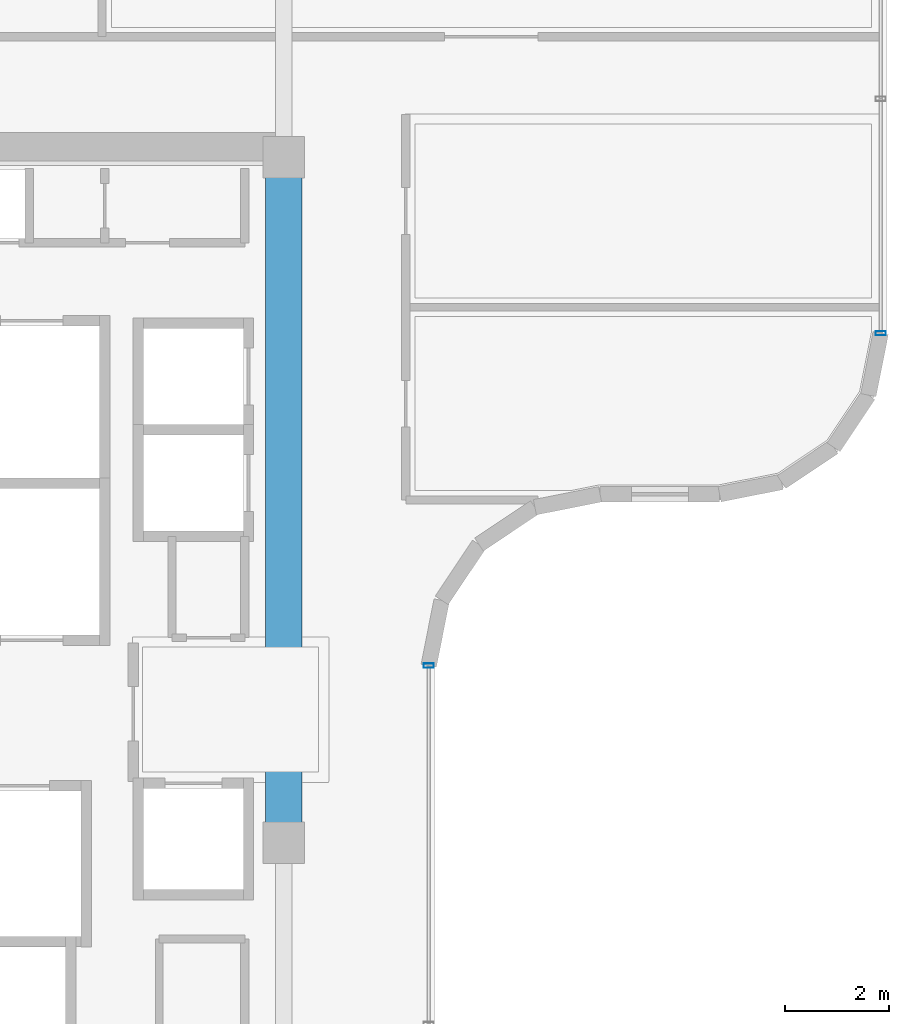
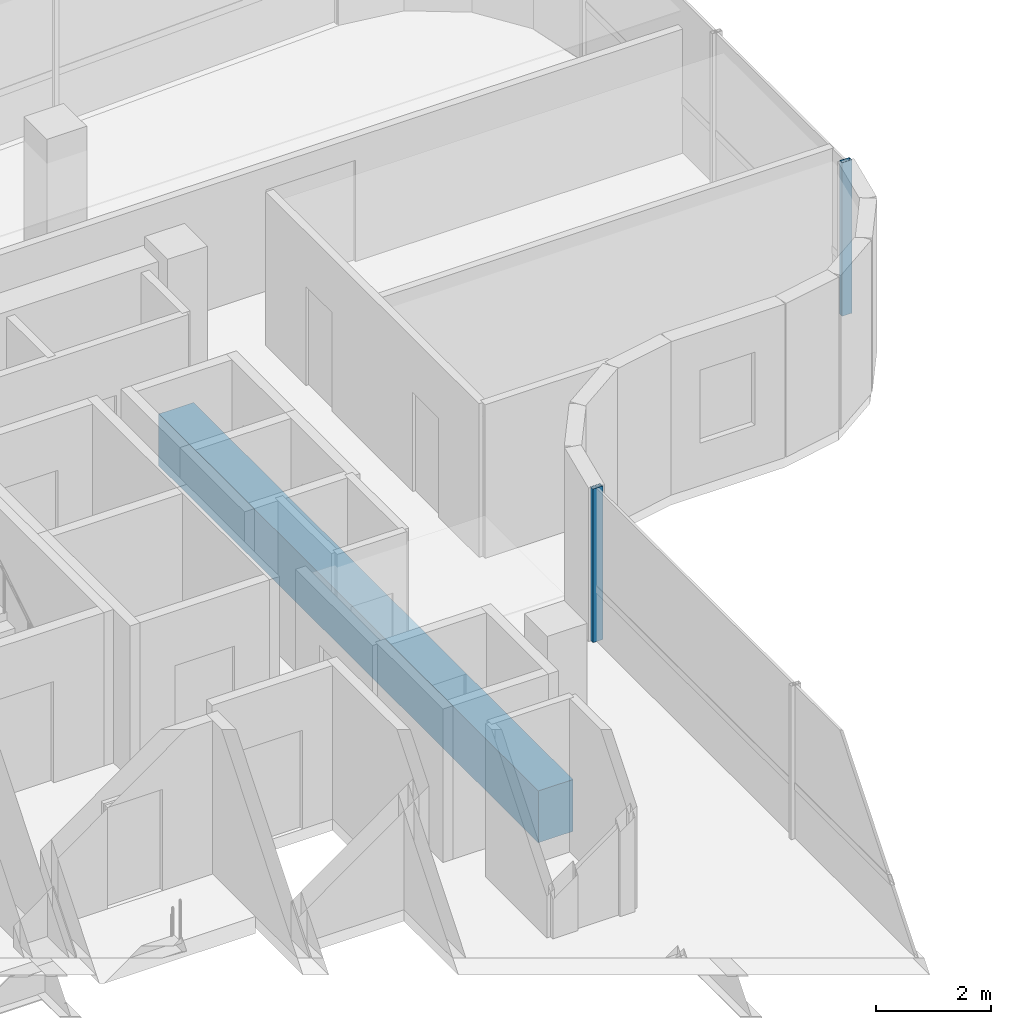
# One storey, part 10 of 20: 2 members, 1 beam, 2 elements without a shape of their own.
"""IFC4 building model written with IfcOpenShell, lengths in metres."""

from ifc_helpers import new_model, si_unit, direction, frame, origin, origin_2d, place, context, subcontext, project, spatial, rectangle, hollow_rectangle, extrude, source, transform, mapped, material, material_profile, profile_set, type_object, element, aggregate, save


model = new_model("IFC4")

# Units and contexts
model_context = context("Model", 3, precision=1e-05, world=origin(), true_north=direction((0.0, 1.0)))
body_context = subcontext(model_context, "Body", "Model", "MODEL_VIEW")
ifc_project = project(units=[si_unit("LENGTHUNIT", "METRE"), si_unit("AREAUNIT", "SQUARE_METRE"), si_unit("VOLUMEUNIT", "CUBIC_METRE"), si_unit("PLANEANGLEUNIT", "RADIAN"), si_unit("MASSUNIT", "GRAM", prefix="KILO")], contexts=[model_context])

# Site, building, storey
site_placement = place(None, origin())
site = spatial("IfcSite", under=ifc_project, at=site_placement, CompositionType="ELEMENT")
building_placement = place(site_placement, origin())
building = spatial("IfcBuilding", under=site, at=building_placement, Name="Valdorenza Pilgrim Sanctuary Tower", CompositionType="ELEMENT")
storey_placement = place(building_placement, frame((0.0, 0.0, 283.5)))
storey = spatial("IfcBuildingStorey", under=building, at=storey_placement, Name="L74", CompositionType="ELEMENT", Elevation=283.5)

# Beam
ifc_material_1 = material(Name="Concrete C50/60", Category="concrete")
ifc_material_profile_1 = material_profile(ifc_material_1, rectangle(XDim=0.699951171875, YDim=1.10009765625, at=origin_2d()), Name="RC 1100x700")
ifc_profile_set_1 = profile_set([ifc_material_profile_1], Name="Concrete C50/60")
beam_type = type_object("IfcBeamType", Name="STR-BM-LNT-1100", PredefinedType="LINTEL", material=ifc_profile_set_1)
shared_shape_1 = source(origin(), body_context, "Body", "SweptSolid", [
    extrude(rectangle(XDim=0.699951171875, YDim=1.10009765625, at=origin_2d()), origin(), (0.0, 0.0, 1.0), 13.2001953125),
])
beam_placement = place(storey_placement, frame((-12.39990234375, -2.60009765625, -0.590087890625), z_axis=(0.0, 1.0, 0.0), x_axis=(-1.0, 0.0, 0.0)))
element("IfcBeam", 1, at=beam_placement, inside=storey, type_object=beam_type, Name="L74 Core A Coupling Lintel Girder", PredefinedType="LINTEL", context=body_context, shape_type="MappedRepresentation", body=[
    mapped(shared_shape_1, transform((0.0, 0.0, 0.0), x_axis=(1.0, 0.0, 0.0), y_axis=(0.0, 1.0, 0.0), z_axis=(0.0, 0.0, 1.0), scale=1.0)),
])

# Curtain wall, member
ifc_material_2 = material(Name="Curtain-wall IGU glazing", Category="glass")
curtain_wall_type = type_object("IfcCurtainWallType", Name="CW-SYS-02", PredefinedType="NOTDEFINED", material=ifc_material_2)
curtain_wall_1_placement = place(storey_placement, origin())
curtain_wall_1 = element("IfcCurtainWall", 2, at=curtain_wall_1_placement, inside=storey, type_object=curtain_wall_type, Name="L74 Curtain Wall CW-L74-1-11", PredefinedType="NOTDEFINED")
ifc_material_3 = material(Name="Anodised aluminium AW-6060", Category="aluminium")
ifc_material_profile_2 = material_profile(ifc_material_3, hollow_rectangle(XDim=0.0849609375, YDim=0.199951171875, WallThickness=0.0048828125, at=origin_2d()), Name="ALU-M 200x85x5")
ifc_profile_set_2 = profile_set([ifc_material_profile_2], Name="Anodised aluminium AW-6060")
member_type = type_object("IfcMemberType", Name="CW-MUL-02", PredefinedType="MULLION", material=ifc_profile_set_2)
shared_shape_2 = source(origin(), body_context, "Body", "SweptSolid", [
    extrude(hollow_rectangle(XDim=0.0849609375, YDim=0.199951171875, WallThickness=0.0048828125, at=origin_2d()), origin(), (0.0, 0.0, 1.0), 3.260009765625),
])
member_1_placement = place(storey_placement, frame((-0.909912109375, 7.210693359375, 0.0), z_axis=(0.0, 0.0, 1.0), x_axis=(0.0, -1.0, 0.0)))
member_1 = element("IfcMember", 3, at=member_1_placement, type_object=member_type, Name="CW-L74-1-11 Mullion 3", PredefinedType="MULLION", context=body_context, shape_type="MappedRepresentation", body=[
    mapped(shared_shape_2, transform((0.0, 0.0, 0.0), x_axis=(1.0, 0.0, 0.0), y_axis=(0.0, 1.0, 0.0), z_axis=(0.0, 0.0, 1.0), scale=1.0)),
])
aggregate(curtain_wall_1, [member_1])

curtain_wall_2_placement = place(storey_placement, origin())
curtain_wall_2 = element("IfcCurtainWall", 4, at=curtain_wall_2_placement, inside=storey, type_object=curtain_wall_type, Name="L74 Curtain Wall CW-L74-1-21", PredefinedType="NOTDEFINED")
member_2_placement = place(storey_placement, frame((-9.610107421875, 0.810791015625, 0.0), z_axis=(0.0, 0.0, 1.0), x_axis=(0.0, -1.0, 0.0)))
member_2 = element("IfcMember", 5, at=member_2_placement, type_object=member_type, Name="CW-L74-1-21 Mullion 1", PredefinedType="MULLION", context=body_context, shape_type="MappedRepresentation", body=[
    mapped(shared_shape_2, transform((0.0, 0.0, 0.0), x_axis=(1.0, 0.0, 0.0), y_axis=(0.0, 1.0, 0.0), z_axis=(0.0, 0.0, 1.0), scale=1.0)),
])
aggregate(curtain_wall_2, [member_2])

save(model, "model.ifc")
